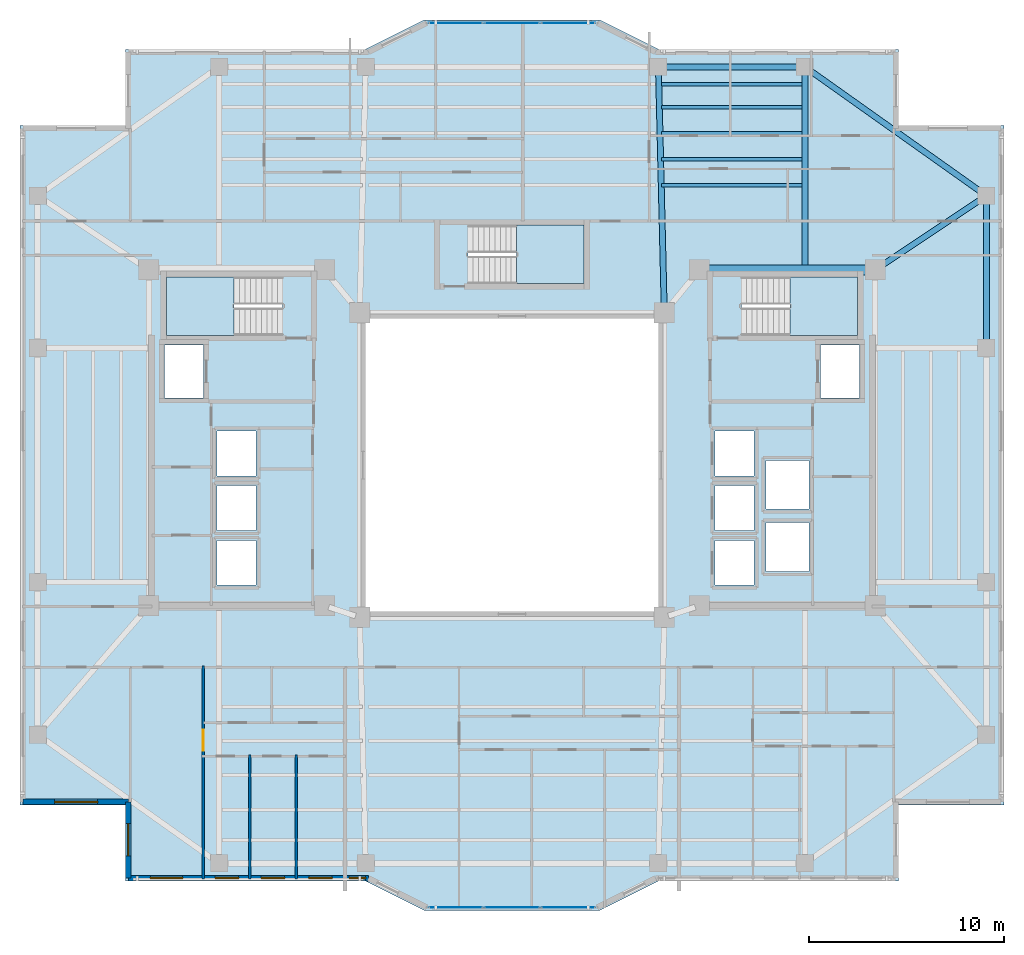
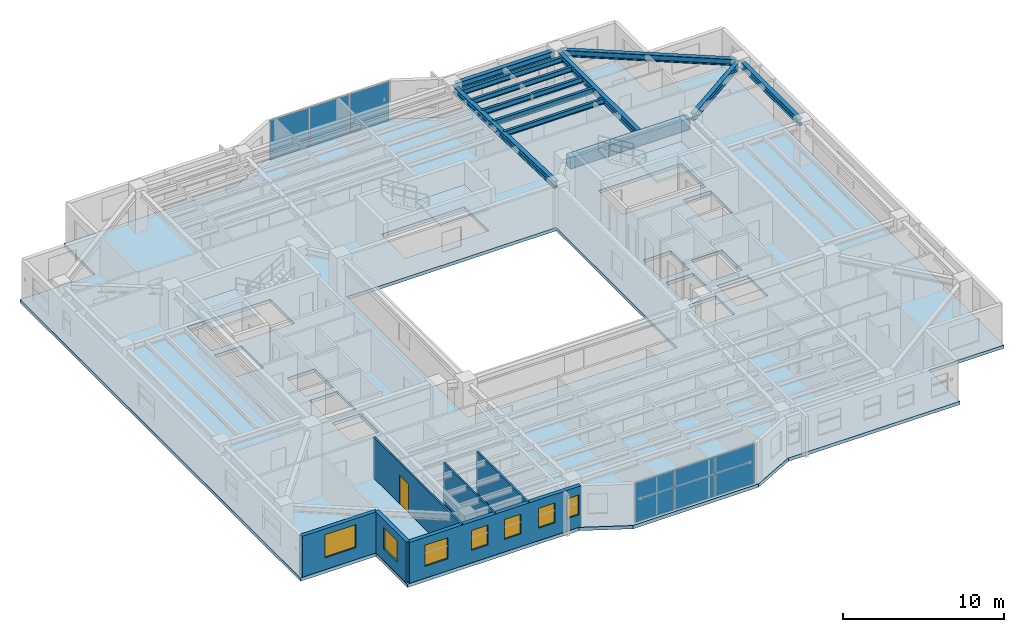
# One storey, part 5 of 16: 12 beams, 7 windows, 6 plates, 6 walls, 4 slabs, 1 door, 8 openings, 5 elements without a shape of their own.
"""IFC4 building model written with IfcOpenShell, lengths in metres."""

from ifc_helpers import new_model, si_unit, direction, frame, frame_2d, origin, origin_2d, place, context, subcontext, project, spatial, polyline, rectangle, i_section, outline, extrude, material, layer, layer_set, material_profile, profile_set, type_object, element, fill, aggregate, save


model = new_model("IFC4")

# Units and contexts
model_context = context("Model", 3, precision=1e-05, world=origin(), true_north=direction((0.0, 1.0)))
body_context = subcontext(model_context, "Body", "Model", "MODEL_VIEW")
ifc_project = project(units=[si_unit("LENGTHUNIT", "METRE"), si_unit("AREAUNIT", "SQUARE_METRE"), si_unit("VOLUMEUNIT", "CUBIC_METRE"), si_unit("PLANEANGLEUNIT", "RADIAN"), si_unit("MASSUNIT", "GRAM", prefix="KILO")], contexts=[model_context])

# Site, building, storey
site_placement = place(None, origin())
site = spatial("IfcSite", under=ifc_project, at=site_placement, CompositionType="ELEMENT")
building_placement = place(site_placement, origin())
building = spatial("IfcBuilding", under=site, at=building_placement, Name="Tarnavaz Court Tower", CompositionType="ELEMENT")
storey_placement = place(building_placement, frame((0.0, 0.0, 149.35009765625)))
storey = spatial("IfcBuildingStorey", under=building, at=storey_placement, Name="L40", CompositionType="ELEMENT", Elevation=149.35009765625)

# Beams
ifc_material_1 = material(Name="Concrete C50/60", Category="concrete")
ifc_material_profile_1 = material_profile(ifc_material_1, rectangle(XDim=0.5, YDim=0.85009765625, at=origin_2d()), Name="RC 500X850")
ifc_profile_set_1 = profile_set([ifc_material_profile_1], Name="Concrete C50/60")
beam_type_1 = type_object("IfcBeamType", Name="BM-CB850", PredefinedType="LINTEL", material=ifc_profile_set_1)
beam_1_placement = place(storey_placement, frame((18.3798828125, 10.0, 2.6748046875), z_axis=(-1.0, 0.0, 0.0), x_axis=(0.0, -1.0, 0.0)))
element("IfcBeam", 1, at=beam_1_placement, inside=storey, type_object=beam_type_1, Name="L40 Beam IN-CE-NO-CE-NI", PredefinedType="LINTEL", context=body_context, shape_type="SweptSolid", body=[
    extrude(rectangle(XDim=0.5, YDim=0.85009765625, at=origin_2d()), origin(), (0.0, 0.0, 1.0), 8.559814453125),
])
ifc_material_2 = material(Name="Steel S355", Category="steel")
ifc_material_profile_2 = material_profile(ifc_material_2, i_section(OverallWidth=0.300048828125, OverallDepth=0.5, WebThickness=0.014404296875, FlangeThickness=0.028076171875, FilletRadius=0.027099609375, at=origin_2d()), Name="HEB 500")
ifc_profile_set_2 = profile_set([ifc_material_profile_2], Name="Steel S355")
beam_type_2 = type_object("IfcBeamType", Name="BM-G-HEB500", PredefinedType="USERDEFINED", material=ifc_profile_set_2)
beam_2_placement = place(storey_placement, frame((7.794921875, 8.02001953125, 2.849853515625), z_axis=(-0.023824748444, 0.999716150395, 0.0), x_axis=(-0.999716150395, -0.023824748444, 0.0)))
element("IfcBeam", 2, at=beam_2_placement, inside=storey, type_object=beam_type_2, Name="L40 Beam RG-03", ObjectType="GIRDER", PredefinedType="USERDEFINED", context=body_context, shape_type="SweptSolid", body=[
    extrude(i_section(OverallWidth=0.300048828125, OverallDepth=0.5, WebThickness=0.014404296875, FlangeThickness=0.028076171875, FilletRadius=0.027099609375, at=origin_2d()), origin(), (0.0, 0.0, 1.0), 12.16357421875),
])
beam_3_placement = place(storey_placement, frame((15.0, 10.0400390625, 2.849853515625), z_axis=(0.0, 1.0, 0.0), x_axis=(-1.0, 0.0, 0.0)))
element("IfcBeam", 3, at=beam_3_placement, inside=storey, type_object=beam_type_2, Name="L40 Beam RG-04", ObjectType="GIRDER", PredefinedType="USERDEFINED", context=body_context, shape_type="SweptSolid", body=[
    extrude(i_section(OverallWidth=0.300048828125, OverallDepth=0.5, WebThickness=0.014404296875, FlangeThickness=0.028076171875, FilletRadius=0.027099609375, at=origin_2d()), origin(), (0.0, 0.0, 1.0), 10.139892578125),
])
beam_4_placement = place(storey_placement, frame((18.783203125, 10.1220703125, 2.849853515625), z_axis=(0.832044435051, 0.554708985056, 0.0), x_axis=(-0.554708985056, 0.832044435051, 0.0)))
element("IfcBeam", 4, at=beam_4_placement, inside=storey, type_object=beam_type_2, Name="L40 Beam RG-12", ObjectType="GIRDER", PredefinedType="USERDEFINED", context=body_context, shape_type="SweptSolid", body=[
    extrude(i_section(OverallWidth=0.300048828125, OverallDepth=0.5, WebThickness=0.014404296875, FlangeThickness=0.028076171875, FilletRadius=0.027099609375, at=origin_2d()), origin(), (0.0, 0.0, 1.0), 6.410400390625),
])
ifc_material_profile_3 = material_profile(ifc_material_2, i_section(OverallWidth=0.179931640625, OverallDepth=0.39990234375, WebThickness=0.008544921875, FlangeThickness=0.013427734375, FilletRadius=0.02099609375, at=origin_2d()), Name="IPE 400")
ifc_profile_set_3 = profile_set([ifc_material_profile_3], Name="Steel S355")
beam_type_3 = type_object("IfcBeamType", Name="BM-J-IPE400", PredefinedType="JOIST", material=ifc_profile_set_3)
for number, where, z_axis, x_axis, name in (
    (5, (7.64990234375, 14.33203125, 2.89990234375), (1.0, 0.0, 0.0), (0.0, 1.0, 0.0), "L40 Beam JN1-3"),
    (6, (7.64990234375, 15.6640625, 2.89990234375), (1.0, 0.0, 0.0), (0.0, 1.0, 0.0), "L40 Beam JN2-3"),
    (7, (7.64990234375, 16.99609375, 2.89990234375), (1.0, 0.0, 0.0), (0.0, 1.0, 0.0), "L40 Beam JN3-3"),
    (8, (7.64990234375, 18.327880859375, 2.89990234375), (1.0, 0.0, 0.0), (0.0, 1.0, 0.0), "L40 Beam JN4-3"),
    (9, (7.64990234375, 19.511962890625, 2.89990234375), (1.0, 0.0, 0.0), (0.0, 1.0, 0.0), "L40 Beam JN5-3"),
):
    element("IfcBeam", number, at=place(storey_placement, frame(where, z_axis=z_axis, x_axis=x_axis)), inside=storey, type_object=beam_type_3, Name=name, PredefinedType="JOIST", context=body_context, shape_type="SweptSolid", body=[
        extrude(i_section(OverallWidth=0.179931640625, OverallDepth=0.39990234375, WebThickness=0.008544921875, FlangeThickness=0.013427734375, FilletRadius=0.02099609375, at=origin_2d()), origin(), (0.0, 0.0, 1.0), 7.2001953125),
    ])
ifc_material_profile_4 = material_profile(ifc_material_2, i_section(OverallWidth=0.300048828125, OverallDepth=0.489990234375, WebThickness=0.011962890625, FlangeThickness=0.02294921875, FilletRadius=0.027099609375, at=origin_2d()), Name="HEA 500")
ifc_profile_set_4 = profile_set([ifc_material_profile_4], Name="Steel S355")
beam_type_4 = type_object("IfcBeamType", Name="BM-SP-HEA500", PredefinedType="SPANDREL", material=ifc_profile_set_4)
beam_5_placement = place(storey_placement, frame((7.719970703125, 20.39990234375, 2.85498046875), z_axis=(1.0, 0.0, 0.0), x_axis=(0.0, 1.0, 0.0)))
element("IfcBeam", 10, at=beam_5_placement, inside=storey, type_object=beam_type_4, Name="L40 Beam PR-PN-3-PN-4", PredefinedType="SPANDREL", context=body_context, shape_type="SweptSolid", body=[
    extrude(i_section(OverallWidth=0.300048828125, OverallDepth=0.489990234375, WebThickness=0.011962890625, FlangeThickness=0.02294921875, FilletRadius=0.027099609375, at=origin_2d()), origin(), (0.0, 0.0, 1.0), 7.06005859375),
])
beam_6_placement = place(storey_placement, frame((24.300048828125, 6.219970703125, 2.85498046875), z_axis=(0.0, 1.0, 0.0), x_axis=(-1.0, 0.0, 0.0)))
element("IfcBeam", 11, at=beam_6_placement, inside=storey, type_object=beam_type_4, Name="L40 Beam PR-PE-3-PE-4", PredefinedType="SPANDREL", context=body_context, shape_type="SweptSolid", body=[
    extrude(i_section(OverallWidth=0.300048828125, OverallDepth=0.489990234375, WebThickness=0.011962890625, FlangeThickness=0.02294921875, FilletRadius=0.027099609375, at=origin_2d()), origin(), (0.0, 0.0, 1.0), 7.360107421875),
])
beam_7_placement = place(storey_placement, frame((15.179443359375, 20.272705078125, 2.85498046875), z_axis=(0.815502059396, -0.57875417158, 0.0), x_axis=(0.57875417158, 0.815502059396, 0.0)))
element("IfcBeam", 12, at=beam_7_placement, inside=storey, type_object=beam_type_4, Name="L40 Beam PR-PN-4-PE-4", PredefinedType="SPANDREL", context=body_context, shape_type="SweptSolid", body=[
    extrude(i_section(OverallWidth=0.300048828125, OverallDepth=0.489990234375, WebThickness=0.011962890625, FlangeThickness=0.02294921875, FilletRadius=0.027099609375, at=origin_2d()), origin(), (0.0, 0.0, 1.0), 10.964111328125),
])

# Curtain wall, plates
ifc_material_3 = material(Name="Anodised Aluminium 6063-T6 and Solar Low-E Glazing", Category="aluminium")
ifc_layer_1 = layer(ifc_material_3, 0.159912109375)
ifc_layer_set_1 = layer_set([ifc_layer_1], Name="Anodised Aluminium 6063-T6 and Solar Low-E Glazing")
curtain_wall_type = type_object("IfcCurtainWallType", Name="CW-SYS-03", PredefinedType="NOTDEFINED", material=ifc_layer_set_1)
curtain_wall_1_placement = place(storey_placement, origin())
curtain_wall_1 = element("IfcCurtainWall", 13, at=curtain_wall_1_placement, inside=storey, type_object=curtain_wall_type, Name="L40 Iwan Prow Curtain Wall 7", PredefinedType="NOTDEFINED")
ifc_material_4 = material(Name="Double-Glazed Solar Low-E Glass", Category="glass")
ifc_layer_2 = layer(ifc_material_4, 0.028076171875)
ifc_layer_set_2 = layer_set([ifc_layer_2], Name="Double-Glazed Solar Low-E Glass")
plate_type = type_object("IfcPlateType", Name="CW-PAN-GLZ28", PredefinedType="CURTAIN_PANEL", material=ifc_layer_set_2)
plate_1_placement = place(storey_placement, frame((-2.88134765625, 22.64990234375, 0.06494140625), z_axis=(0.0, 0.0, 1.0), x_axis=(1.0, 0.0, 0.0)))
plate_1 = element("IfcPlate", 14, at=plate_1_placement, type_object=plate_type, Name="CW panel 1.1", PredefinedType="CURTAIN_PANEL", context=body_context, shape_type="SweptSolid", body=[
    extrude(rectangle(XDim=2.78759765625, YDim=0.028076171875, at=origin_2d()), origin(), (0.0, 0.0, 1.0), 2.969970703125),
])
plate_2_placement = place(storey_placement, frame((0.0, 22.64990234375, 0.06494140625), z_axis=(0.0, 0.0, 1.0), x_axis=(1.0, 0.0, 0.0)))
plate_2 = element("IfcPlate", 15, at=plate_2_placement, type_object=plate_type, Name="CW panel 2.1", PredefinedType="CURTAIN_PANEL", context=body_context, shape_type="SweptSolid", body=[
    extrude(rectangle(XDim=2.824951171875, YDim=0.028076171875, at=origin_2d()), origin(), (0.0, 0.0, 1.0), 2.969970703125),
])
plate_3_placement = place(storey_placement, frame((2.88134765625, 22.64990234375, 0.06494140625), z_axis=(0.0, 0.0, 1.0), x_axis=(1.0, 0.0, 0.0)))
plate_3 = element("IfcPlate", 16, at=plate_3_placement, type_object=plate_type, Name="CW panel 3.1", PredefinedType="CURTAIN_PANEL", context=body_context, shape_type="SweptSolid", body=[
    extrude(rectangle(XDim=2.78759765625, YDim=0.028076171875, at=origin_2d()), origin(), (0.0, 0.0, 1.0), 2.969970703125),
])
aggregate(curtain_wall_1, [plate_1, plate_2, plate_3])

curtain_wall_2_placement = place(storey_placement, origin())
curtain_wall_2 = element("IfcCurtainWall", 17, at=curtain_wall_2_placement, inside=storey, type_object=curtain_wall_type, Name="L40 Iwan Prow Curtain Wall 17", PredefinedType="NOTDEFINED")
plate_4_placement = place(storey_placement, frame((2.88134765625, -22.64990234375, 0.06494140625), z_axis=(0.0, 0.0, 1.0), x_axis=(-1.0, 0.0, 0.0)))
plate_4 = element("IfcPlate", 18, at=plate_4_placement, type_object=plate_type, Name="CW panel 1.1", PredefinedType="CURTAIN_PANEL", context=body_context, shape_type="SweptSolid", body=[
    extrude(rectangle(XDim=2.78759765625, YDim=0.028076171875, at=origin_2d()), origin(), (0.0, 0.0, 1.0), 2.969970703125),
])
plate_5_placement = place(storey_placement, frame((0.0, -22.64990234375, 0.06494140625), z_axis=(0.0, 0.0, 1.0), x_axis=(-1.0, 0.0, 0.0)))
plate_5 = element("IfcPlate", 19, at=plate_5_placement, type_object=plate_type, Name="CW panel 2.1", PredefinedType="CURTAIN_PANEL", context=body_context, shape_type="SweptSolid", body=[
    extrude(rectangle(XDim=2.824951171875, YDim=0.028076171875, at=origin_2d()), origin(), (0.0, 0.0, 1.0), 2.969970703125),
])
plate_6_placement = place(storey_placement, frame((-2.88134765625, -22.64990234375, 0.06494140625), z_axis=(0.0, 0.0, 1.0), x_axis=(-1.0, 0.0, 0.0)))
plate_6 = element("IfcPlate", 20, at=plate_6_placement, type_object=plate_type, Name="CW panel 3.1", PredefinedType="CURTAIN_PANEL", context=body_context, shape_type="SweptSolid", body=[
    extrude(rectangle(XDim=2.78759765625, YDim=0.028076171875, at=origin_2d()), origin(), (0.0, 0.0, 1.0), 2.969970703125),
])
aggregate(curtain_wall_2, [plate_4, plate_5, plate_6])

# Stair, slab
ifc_material_5 = material(Name="Concrete C40/50", Category="concrete")
stair_type = type_object("IfcStairType", Name="ST-TWR-20R", PredefinedType="HALF_TURN_STAIR", material=ifc_material_5)
stair_1_placement = place(storey_placement, origin())
stair_1 = element("IfcStair", 21, at=stair_1_placement, inside=storey, type_object=stair_type, Name="L40 West Core Pressurized Exit Stair ST-W1", PredefinedType="HALF_TURN_STAIR")
ifc_layer_3 = layer(ifc_material_5, 0.199951171875)
ifc_layer_set_3 = layer_set([ifc_layer_3], Name="Concrete C40/50")
slab_type_1 = type_object("IfcSlabType", Name="SL-LAND-200", PredefinedType="LANDING", material=ifc_layer_set_3)
slab_1_placement = place(storey_placement, frame((0.0, 0.0, 1.474853515625)))
slab_1 = element("IfcSlab", 22, at=slab_1_placement, type_object=slab_type_1, Name="ST-W1 landing 1", PredefinedType="LANDING", context=body_context, shape_type="SweptSolid", body=[
    extrude(outline(polyline([(-14.239990234375, 9.639892578125), (-17.699951171875, 9.639892578125), (-17.699951171875, 6.64990234375), (-14.239990234375, 6.64990234375), (-14.239990234375, 9.639892578125)])), origin(), (0.0, 0.0, 1.0), 0.199951171875),
])
aggregate(stair_1, [slab_1])

stair_2_placement = place(storey_placement, origin())
stair_2 = element("IfcStair", 23, at=stair_2_placement, inside=storey, type_object=stair_type, Name="L40 East Core Pressurized Exit Stair ST-E1", PredefinedType="HALF_TURN_STAIR")
slab_2_placement = place(storey_placement, frame((0.0, 0.0, 1.474853515625)))
slab_2 = element("IfcSlab", 24, at=slab_2_placement, type_object=slab_type_1, Name="ST-E1 landing 1", PredefinedType="LANDING", context=body_context, shape_type="SweptSolid", body=[
    extrude(outline(polyline([(14.239990234375, 6.64990234375), (17.699951171875, 6.64990234375), (17.699951171875, 9.639892578125), (14.239990234375, 9.639892578125), (14.239990234375, 6.64990234375)])), origin(), (0.0, 0.0, 1.0), 0.199951171875),
])
aggregate(stair_2, [slab_2])

stair_3_placement = place(storey_placement, origin())
stair_3 = element("IfcStair", 25, at=stair_3_placement, inside=storey, type_object=stair_type, Name="L40 North Ring Pressurized Exit Stair ST-N1", PredefinedType="HALF_TURN_STAIR")
slab_3_placement = place(storey_placement, frame((0.0, 0.0, 1.474853515625)))
slab_3 = element("IfcSlab", 26, at=slab_3_placement, type_object=slab_type_1, Name="ST-N1 landing 1", PredefinedType="LANDING", context=body_context, shape_type="SweptSolid", body=[
    extrude(outline(polyline([(0.239990234375, 9.300048828125), (3.699951171875, 9.300048828125), (3.699951171875, 12.2900390625), (0.239990234375, 12.2900390625), (0.239990234375, 9.300048828125)])), origin(), (0.0, 0.0, 1.0), 0.199951171875),
])
aggregate(stair_3, [slab_3])

# Slab
ifc_layer_4 = layer(ifc_material_5, 0.25)
ifc_layer_set_4 = layer_set([ifc_layer_4], Name="Concrete C40/50")
slab_type_2 = type_object("IfcSlabType", Name="SL-RES-250", PredefinedType="FLOOR", material=ifc_layer_set_4)
slab_4_placement = place(storey_placement, frame((0.0, 0.0, -0.25)))
element("IfcSlab", 27, at=slab_4_placement, inside=storey, type_object=slab_type_2, Name="L40 Structural Floor Slab", PredefinedType="FLOOR", context=body_context, shape_type="SweptSolid", body=[
    extrude(outline(polyline([(-19.800048828125, -21.300048828125), (-7.5, -21.300048828125), (-4.5, -22.800048828125), (4.5, -22.800048828125), (7.5, -21.300048828125), (19.800048828125, -21.300048828125), (19.800048828125, -17.39990234375), (25.199951171875, -17.39990234375), (25.199951171875, 17.39990234375), (19.800048828125, 17.39990234375), (19.800048828125, 21.300048828125), (7.5, 21.300048828125), (4.5, 22.800048828125), (-4.5, 22.800048828125), (-7.5, 21.300048828125), (-19.800048828125, 21.300048828125), (-19.800048828125, 17.39990234375), (-25.199951171875, 17.39990234375), (-25.199951171875, -17.39990234375), (-19.800048828125, -17.39990234375), (-19.800048828125, -21.300048828125)]), holes=[polyline([(-7.5, -7.5), (7.5, -7.5), (7.5, 7.5), (-7.5, 7.5), (-7.5, -7.5)]), polyline([(-11.7451171875, 9.639892578125), (-17.699951171875, 9.639892578125), (-17.699951171875, 6.64990234375), (-11.7451171875, 6.64990234375), (-11.7451171875, 9.639892578125)]), polyline([(11.7451171875, 6.64990234375), (17.699951171875, 6.64990234375), (17.699951171875, 9.639892578125), (11.7451171875, 9.639892578125), (11.7451171875, 6.64990234375)]), polyline([(-2.2548828125, 9.300048828125), (3.699951171875, 9.300048828125), (3.699951171875, 12.2900390625), (-2.2548828125, 12.2900390625), (-2.2548828125, 9.300048828125)]), polyline([(-17.800048828125, 3.449951171875), (-15.800048828125, 3.449951171875), (-15.800048828125, 6.14990234375), (-17.800048828125, 6.14990234375), (-17.800048828125, 3.449951171875)]), polyline([(-15.10009765625, -6.14990234375), (-13.10009765625, -6.14990234375), (-13.10009765625, -3.85009765625), (-15.10009765625, -3.85009765625), (-15.10009765625, -6.14990234375)]), polyline([(-15.10009765625, -3.35009765625), (-13.10009765625, -3.35009765625), (-13.10009765625, -1.050048828125), (-15.10009765625, -1.050048828125), (-15.10009765625, -3.35009765625)]), polyline([(-15.10009765625, -0.550048828125), (-13.10009765625, -0.550048828125), (-13.10009765625, 1.75), (-15.10009765625, 1.75), (-15.10009765625, -0.550048828125)]), polyline([(15.800048828125, 3.449951171875), (17.800048828125, 3.449951171875), (17.800048828125, 6.14990234375), (15.800048828125, 6.14990234375), (15.800048828125, 3.449951171875)]), polyline([(10.39990234375, -6.14990234375), (12.39990234375, -6.14990234375), (12.39990234375, -3.85009765625), (10.39990234375, -3.85009765625), (10.39990234375, -6.14990234375)]), polyline([(10.39990234375, -3.35009765625), (12.39990234375, -3.35009765625), (12.39990234375, -1.050048828125), (10.39990234375, -1.050048828125), (10.39990234375, -3.35009765625)]), polyline([(10.39990234375, -0.550048828125), (12.39990234375, -0.550048828125), (12.39990234375, 1.75), (10.39990234375, 1.75), (10.39990234375, -0.550048828125)]), polyline([(13.0, -5.449951171875), (15.199951171875, -5.449951171875), (15.199951171875, -2.949951171875), (13.0, -2.949951171875), (13.0, -5.449951171875)]), polyline([(13.0, -2.25), (15.199951171875, -2.25), (15.199951171875, 0.25), (13.0, 0.25), (13.0, -2.25)])]), origin(), (0.0, 0.0, 1.0), 0.25),
])

# Wall, opening, window
ifc_material_6 = material(Name="Precast Concrete C40/50", Category="concrete")
ifc_layer_5 = layer(ifc_material_6, 0.280029296875)
ifc_layer_set_5 = layer_set([ifc_layer_5], Name="Precast Concrete C40/50")
wall_type_1 = type_object("IfcWallType", Name="WL-EXT-280", PredefinedType="SOLIDWALL", material=ifc_layer_set_5)
wall_1_placement = place(storey_placement, frame((-19.64990234375, -17.25, 0.0), z_axis=(0.0, 0.0, 1.0), x_axis=(-1.0, 0.0, 0.0)))
wall_1 = element("IfcWall", 28, at=wall_1_placement, inside=storey, type_object=wall_type_1, Name="L40 Exterior Terracotta Facade Wall 01", PredefinedType="SOLIDWALL", context=body_context, shape_type="SweptSolid", body=[
    extrude(rectangle(XDim=5.400146484375, YDim=0.280029296875, at=frame_2d((2.7001953125, 0.0))), origin(), (0.0, 0.0, 1.0), 3.099853515625),
])
opening_1_placement = place(wall_1_placement, frame((1.574951171875, 0.0, 0.89990234375)))
opening_1 = element("IfcOpeningElement", 29, at=opening_1_placement, cuts=wall_1, Name="Opening W07", PredefinedType="OPENING", context=body_context, shape_type="SweptSolid", body=[
    extrude(rectangle(XDim=2.199951171875, YDim=1.75, at=frame_2d((1.10009765625, 0.875))), frame((0.0, 0.14990234375, 0.0), z_axis=(0.0, -1.0, 0.0), x_axis=(1.0, 0.0, 0.0)), (0.0, 0.0, 1.0), 0.300048828125),
])
window_type_1 = type_object("IfcWindowType", Name="WN-APT-2200", PartitioningType="TRIPLE_PANEL_VERTICAL", PredefinedType="WINDOW", material=ifc_material_4)
window_1_placement = place(opening_1_placement, origin())
window_1 = element("IfcWindow", 30, at=window_1_placement, inside=storey, type_object=window_type_1, Name="L40 South-West Corner Reading Room Window", OverallHeight=1.75, OverallWidth=2.199951171875, PartitioningType="SINGLE_PANEL", PredefinedType="WINDOW", context=body_context, shape_type="SweptSolid", body=[
    extrude(rectangle(XDim=2.199951171875, YDim=1.75, at=frame_2d((1.10009765625, 0.875))), frame((0.0, 0.030029296875, 0.0), z_axis=(0.0, -1.0, 0.0), x_axis=(1.0, 0.0, 0.0)), (0.0, 0.0, 1.0), 0.06005859375),
])
fill(opening_1, window_1)

# Wall, openings, windows
wall_2_placement = place(storey_placement, frame((-7.35009765625, -21.14990234375, 0.0), z_axis=(0.0, 0.0, 1.0), x_axis=(-1.0, 0.0, 0.0)))
wall_2 = element("IfcWall", 31, at=wall_2_placement, inside=storey, type_object=wall_type_1, Name="L40 Exterior Terracotta Facade Wall 19", PredefinedType="SOLIDWALL", context=body_context, shape_type="SweptSolid", body=[
    extrude(rectangle(XDim=12.2998046875, YDim=0.280029296875, at=frame_2d((6.14990234375, 0.0))), origin(), (0.0, 0.0, 1.0), 3.099853515625),
])
opening_2_placement = place(wall_2_placement, frame((0.147216796875, 0.0, 0.949951171875)))
opening_2 = element("IfcOpeningElement", 32, at=opening_2_placement, cuts=wall_2, Name="Opening W15", PredefinedType="OPENING", context=body_context, shape_type="SweptSolid", body=[
    extrude(rectangle(XDim=0.85009765625, YDim=1.5, at=frame_2d((0.425048828125, 0.75))), frame((0.0, 0.14990234375, 0.0), z_axis=(0.0, -1.0, 0.0), x_axis=(1.0, 0.0, 0.0)), (0.0, 0.0, 1.0), 0.300048828125),
])
opening_3_placement = place(wall_2_placement, frame((1.860107421875, 0.0, 0.949951171875)))
opening_3 = element("IfcOpeningElement", 33, at=opening_3_placement, cuts=wall_2, Name="Opening W05", PredefinedType="OPENING", context=body_context, shape_type="SweptSolid", body=[
    extrude(rectangle(XDim=1.199951171875, YDim=1.5, at=frame_2d((0.60009765625, 0.75))), frame((0.0, 0.14990234375, 0.0), z_axis=(0.0, -1.0, 0.0), x_axis=(1.0, 0.0, 0.0)), (0.0, 0.0, 1.0), 0.300048828125),
])
opening_4_placement = place(wall_2_placement, frame((4.294921875, 0.0, 0.949951171875)))
opening_4 = element("IfcOpeningElement", 34, at=opening_4_placement, cuts=wall_2, Name="Opening W05", PredefinedType="OPENING", context=body_context, shape_type="SweptSolid", body=[
    extrude(rectangle(XDim=1.199951171875, YDim=1.5, at=frame_2d((0.60009765625, 0.75))), frame((0.0, 0.14990234375, 0.0), z_axis=(0.0, -1.0, 0.0), x_axis=(1.0, 0.0, 0.0)), (0.0, 0.0, 1.0), 0.300048828125),
])
opening_5_placement = place(wall_2_placement, frame((6.654541015625, 0.0, 0.949951171875)))
opening_5 = element("IfcOpeningElement", 35, at=opening_5_placement, cuts=wall_2, Name="Opening W05", PredefinedType="OPENING", context=body_context, shape_type="SweptSolid", body=[
    extrude(rectangle(XDim=1.199951171875, YDim=1.5, at=frame_2d((0.60009765625, 0.75))), frame((0.0, 0.14990234375, 0.0), z_axis=(0.0, -1.0, 0.0), x_axis=(1.0, 0.0, 0.0)), (0.0, 0.0, 1.0), 0.300048828125),
])
opening_6_placement = place(wall_2_placement, frame((9.51708984375, 0.0, 0.89990234375)))
opening_6 = element("IfcOpeningElement", 36, at=opening_6_placement, cuts=wall_2, Name="Opening W02", PredefinedType="OPENING", context=body_context, shape_type="SweptSolid", body=[
    extrude(rectangle(XDim=1.64990234375, YDim=1.60009765625, at=frame_2d((0.824951171875, 0.800048828125))), frame((0.0, 0.14990234375, 0.0), z_axis=(0.0, -1.0, 0.0), x_axis=(1.0, 0.0, 0.0)), (0.0, 0.0, 1.0), 0.300048828125),
])
window_type_2 = type_object("IfcWindowType", Name="WN-APT-1200", PartitioningType="SINGLE_PANEL", PredefinedType="WINDOW", material=ifc_material_4)
window_2_placement = place(opening_3_placement, origin())
window_2 = element("IfcWindow", 37, at=window_2_placement, inside=storey, type_object=window_type_2, Name="L40 Flat 03 Bedroom 3 Window", OverallHeight=1.5, OverallWidth=1.199951171875, PartitioningType="SINGLE_PANEL", PredefinedType="WINDOW", context=body_context, shape_type="SweptSolid", body=[
    extrude(rectangle(XDim=1.199951171875, YDim=1.5, at=frame_2d((0.60009765625, 0.75))), frame((0.0, 0.030029296875, 0.0), z_axis=(0.0, -1.0, 0.0), x_axis=(1.0, 0.0, 0.0)), (0.0, 0.0, 1.0), 0.06005859375),
])
fill(opening_3, window_2)
window_3_placement = place(opening_4_placement, origin())
window_3 = element("IfcWindow", 38, at=window_3_placement, inside=storey, type_object=window_type_2, Name="L40 Flat 03 Bedroom 2 Window", OverallHeight=1.5, OverallWidth=1.199951171875, PartitioningType="SINGLE_PANEL", PredefinedType="WINDOW", context=body_context, shape_type="SweptSolid", body=[
    extrude(rectangle(XDim=1.199951171875, YDim=1.5, at=frame_2d((0.60009765625, 0.75))), frame((0.0, 0.030029296875, 0.0), z_axis=(0.0, -1.0, 0.0), x_axis=(1.0, 0.0, 0.0)), (0.0, 0.0, 1.0), 0.06005859375),
])
fill(opening_4, window_3)
window_4_placement = place(opening_5_placement, origin())
window_4 = element("IfcWindow", 39, at=window_4_placement, inside=storey, type_object=window_type_2, Name="L40 Flat 03 Principal Bedroom Window", OverallHeight=1.5, OverallWidth=1.199951171875, PartitioningType="SINGLE_PANEL", PredefinedType="WINDOW", context=body_context, shape_type="SweptSolid", body=[
    extrude(rectangle(XDim=1.199951171875, YDim=1.5, at=frame_2d((0.60009765625, 0.75))), frame((0.0, 0.030029296875, 0.0), z_axis=(0.0, -1.0, 0.0), x_axis=(1.0, 0.0, 0.0)), (0.0, 0.0, 1.0), 0.06005859375),
])
fill(opening_5, window_4)
window_type_3 = type_object("IfcWindowType", Name="WN-APT-1650", PartitioningType="DOUBLE_PANEL_VERTICAL", PredefinedType="WINDOW", material=ifc_material_4)
window_5_placement = place(opening_6_placement, origin())
window_5 = element("IfcWindow", 40, at=window_5_placement, inside=storey, type_object=window_type_3, Name="L40 Flat 03 Living and Dining Room Window", OverallHeight=1.60009765625, OverallWidth=1.64990234375, PartitioningType="SINGLE_PANEL", PredefinedType="WINDOW", context=body_context, shape_type="SweptSolid", body=[
    extrude(rectangle(XDim=1.64990234375, YDim=1.60009765625, at=frame_2d((0.824951171875, 0.800048828125))), frame((0.0, 0.030029296875, 0.0), z_axis=(0.0, -1.0, 0.0), x_axis=(1.0, 0.0, 0.0)), (0.0, 0.0, 1.0), 0.06005859375),
])
fill(opening_6, window_5)
window_type_4 = type_object("IfcWindowType", Name="WN-APT-850", PartitioningType="SINGLE_PANEL", PredefinedType="WINDOW", material=ifc_material_4)
window_6_placement = place(opening_2_placement, origin())
window_6 = element("IfcWindow", 41, at=window_6_placement, inside=storey, type_object=window_type_4, Name="L40 Flat 05 Living and Dining Room Window", OverallHeight=1.5, OverallWidth=0.85009765625, PartitioningType="SINGLE_PANEL", PredefinedType="WINDOW", context=body_context, shape_type="SweptSolid", body=[
    extrude(rectangle(XDim=0.85009765625, YDim=1.5, at=frame_2d((0.425048828125, 0.75))), frame((0.0, 0.030029296875, 0.0), z_axis=(0.0, -1.0, 0.0), x_axis=(1.0, 0.0, 0.0)), (0.0, 0.0, 1.0), 0.06005859375),
])
fill(opening_2, window_6)

# Wall, opening, window
wall_3_placement = place(storey_placement, frame((-19.64990234375, -21.14990234375, 0.0), z_axis=(0.0, 0.0, 1.0), x_axis=(0.0, 1.0, 0.0)))
wall_3 = element("IfcWall", 42, at=wall_3_placement, inside=storey, type_object=wall_type_1, Name="L40 Exterior Terracotta Facade Wall 20", PredefinedType="SOLIDWALL", context=body_context, shape_type="SweptSolid", body=[
    extrude(rectangle(XDim=3.89990234375, YDim=0.280029296875, at=frame_2d((1.949951171875, 0.0))), origin(), (0.0, 0.0, 1.0), 3.099853515625),
])
opening_7_placement = place(wall_3_placement, frame((1.142822265625, 0.0, 0.89990234375)))
opening_7 = element("IfcOpeningElement", 43, at=opening_7_placement, cuts=wall_3, Name="Opening W02", PredefinedType="OPENING", context=body_context, shape_type="SweptSolid", body=[
    extrude(rectangle(XDim=1.64990234375, YDim=1.60009765625, at=frame_2d((0.824951171875, 0.800048828125))), frame((0.0, 0.14990234375, 0.0), z_axis=(0.0, -1.0, 0.0), x_axis=(1.0, 0.0, 0.0)), (0.0, 0.0, 1.0), 0.300048828125),
])
window_7_placement = place(opening_7_placement, origin())
window_7 = element("IfcWindow", 44, at=window_7_placement, inside=storey, type_object=window_type_3, Name="L40 Flat 03 Living and Dining Room Window", OverallHeight=1.60009765625, OverallWidth=1.64990234375, PartitioningType="SINGLE_PANEL", PredefinedType="WINDOW", context=body_context, shape_type="SweptSolid", body=[
    extrude(rectangle(XDim=1.64990234375, YDim=1.60009765625, at=frame_2d((0.824951171875, 0.800048828125))), frame((0.0, 0.030029296875, 0.0), z_axis=(0.0, -1.0, 0.0), x_axis=(1.0, 0.0, 0.0)), (0.0, 0.0, 1.0), 0.06005859375),
])
fill(opening_7, window_7)

# Wall, opening, door
ifc_material_7 = material(Name="Moisture-Resistant Gypsum Board Partition", Category="masonry")
ifc_layer_6 = layer(ifc_material_7, 0.1201171875)
ifc_layer_set_6 = layer_set([ifc_layer_6], Name="Moisture-Resistant Gypsum Board Partition")
wall_type_2 = type_object("IfcWallType", Name="WL-PART-120", PredefinedType="PARTITIONING", material=ifc_layer_set_6)
wall_4_placement = place(storey_placement, frame((-15.80810546875, -21.199951171875, 0.0), z_axis=(0.0, 0.0, 1.0), x_axis=(0.0, 1.0, 0.0)))
wall_4 = element("IfcWall", 45, at=wall_4_placement, inside=storey, type_object=wall_type_2, Name="L40 Interior Partition 091", PredefinedType="PARTITIONING", context=body_context, shape_type="SweptSolid", body=[
    extrude(rectangle(XDim=10.909912109375, YDim=0.1201171875, at=frame_2d((5.455078125, 0.0))), origin(), (0.0, 0.0, 1.0), 3.099853515625),
])
opening_8_placement = place(wall_4_placement, frame((6.574951171875, 0.0, 0.0)))
opening_8 = element("IfcOpeningElement", 46, at=opening_8_placement, cuts=wall_4, Name="Opening D12", PredefinedType="OPENING", context=body_context, shape_type="SweptSolid", body=[
    extrude(rectangle(XDim=1.080078125, YDim=2.14990234375, at=frame_2d((0.5400390625, 1.074951171875))), frame((0.0, 0.070068359375, 0.0), z_axis=(0.0, -1.0, 0.0), x_axis=(1.0, 0.0, 0.0)), (0.0, 0.0, 1.0), 0.14013671875),
])
ifc_material_8 = material(Name="Engineered Oak Timber", Category="wood")
door_type = type_object("IfcDoorType", Name="DR-INT-1100", OperationType="NOTDEFINED", PredefinedType="DOOR", material=ifc_material_8)
door_placement = place(opening_8_placement, origin())
door = element("IfcDoor", 47, at=door_placement, inside=storey, type_object=door_type, Name="L40 Flat 03 Foyer Door", OperationType="SINGLE_SWING_LEFT", OverallHeight=2.14990234375, OverallWidth=1.080078125, PredefinedType="DOOR", context=body_context, shape_type="SweptSolid", body=[
    extrude(rectangle(XDim=1.080078125, YDim=2.14990234375, at=frame_2d((0.5400390625, 1.074951171875))), frame((0.0, 0.02490234375, 0.0), z_axis=(0.0, -1.0, 0.0), x_axis=(1.0, 0.0, 0.0)), (0.0, 0.0, 1.0), 0.050048828125),
])
fill(opening_8, door)

# Walls
for number, where, z_axis, x_axis, name in (
    (48, (-13.425048828125, -21.199951171875, 0.0), (0.0, 0.0, 1.0), (0.0, 1.0, 0.0), "L40 Interior Partition 096"),
    (49, (-11.04296875, -21.199951171875, 0.0), (0.0, 0.0, 1.0), (0.0, 1.0, 0.0), "L40 Interior Partition 097"),
):
    element("IfcWall", number, at=place(storey_placement, frame(where, z_axis=z_axis, x_axis=x_axis)), inside=storey, type_object=wall_type_2, Name=name, PredefinedType="PARTITIONING", context=body_context, shape_type="SweptSolid", body=[
        extrude(rectangle(XDim=6.349853515625, YDim=0.1201171875, at=frame_2d((3.1748046875, 0.0))), origin(), (0.0, 0.0, 1.0), 3.099853515625),
    ])

save(model, "model.ifc")
